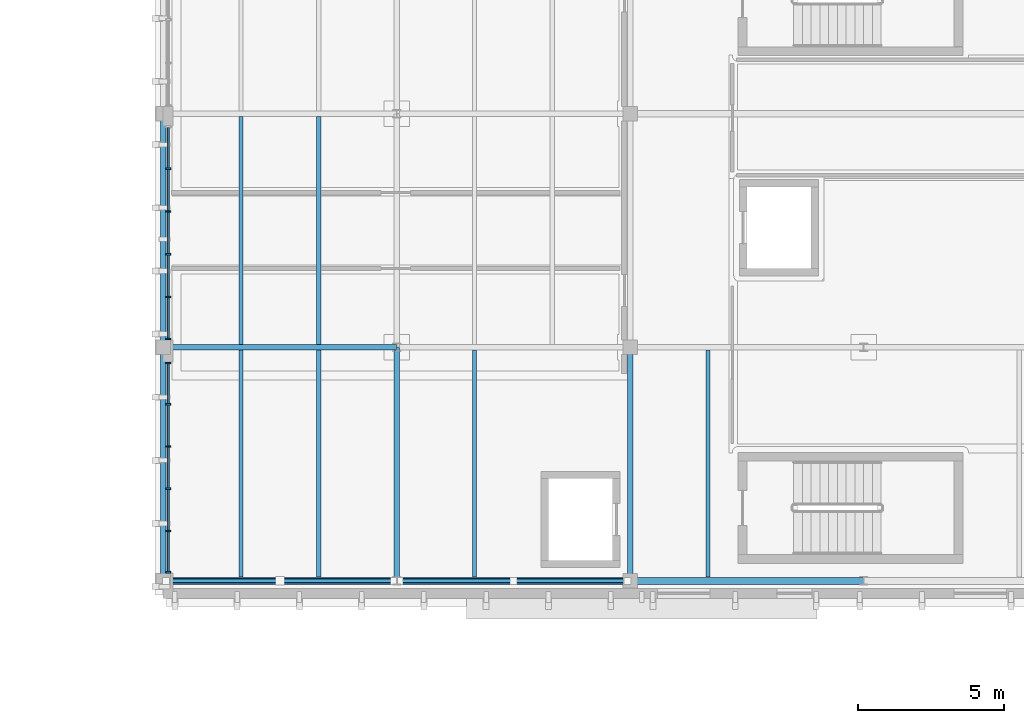
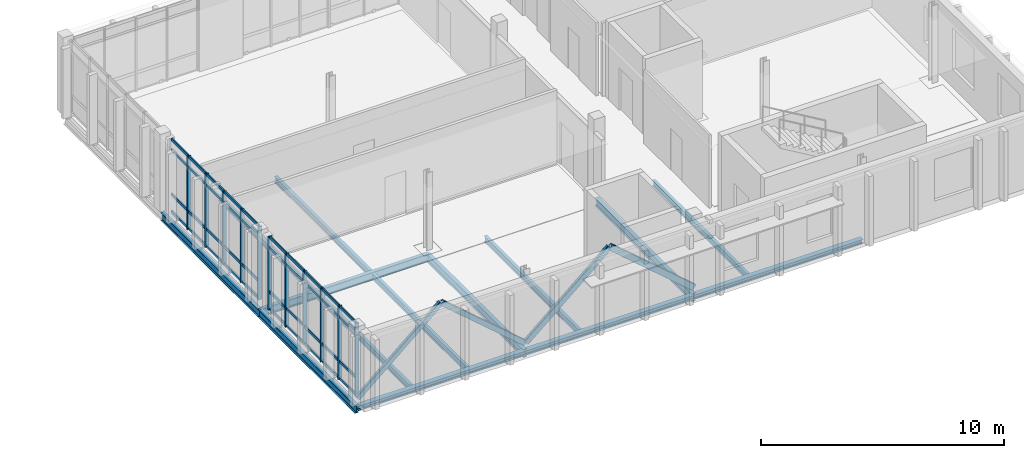
# One storey, part 7 of 40: 55 members, 14 beams, 2 elements without a shape of their own.
"""IFC4 building model written with IfcOpenShell, lengths in metres."""

import ifcopenshell
import ifcopenshell.guid

model = None  # the IFC model being written
_history = None  # IfcOwnerHistory: only IFC2X3 demands one
_inside = {}  # id of a spatial element -> (the spatial element, [elements in it])
_under = {}  # id of a project, library or spatial element -> (it, [spatial elements below it])
_declared = {}  # id of a project -> (the project, [libraries it declares])
_typed = {}  # id of a type object -> (the type object, [elements of that type])
_made_of = {}  # id of a material, layer set ... -> (it, [elements and type objects made of it])


def new_model(schema):
    """Start an empty IFC model of exactly this schema.

    Asked for "IFC4X3", IfcOpenShell would pick the latest addendum, in which some entities
    have other attributes; the version numbers below select the first issue.
    IFC2X3 requires an IfcOwnerHistory on every rooted entity: one is made here for all.
    """
    global model, _history
    if schema == "IFC4X3":
        model = ifcopenshell.file(schema_version=(4, 3, 0, 0))
    else:
        model = ifcopenshell.file(schema=schema)
    _inside.clear()
    _under.clear()
    _declared.clear()
    _typed.clear()
    _made_of.clear()
    _history = None
    if model.schema == "IFC2X3":
        org = make("IfcOrganization", Name="unknown")
        user = make(
            "IfcPersonAndOrganization",
            ThePerson=make("IfcPerson", FamilyName="unknown"),
            TheOrganization=org,
        )
        app = make(
            "IfcApplication",
            ApplicationDeveloper=org,
            Version="unknown",
            ApplicationFullName="unknown",
            ApplicationIdentifier="unknown",
        )
        _history = make(
            "IfcOwnerHistory",
            OwningUser=user,
            OwningApplication=app,
            ChangeAction="ADDED",
            CreationDate=0,
        )
    return model


def make(cls, **values):
    """One entity of the class cls with the attributes given. An attribute that is None is left unset."""
    return model.create_entity(
        cls, **{name: value for name, value in values.items() if value is not None}
    )


def rooted(cls, **values):
    """An entity with a GlobalId (a new one), such as an element, a storey or a relation."""
    return make(cls, GlobalId=ifcopenshell.guid.new(), OwnerHistory=_history, **values)


def si_unit(unit_type, name, prefix=None):
    """IfcSIUnit, for example si_unit("LENGTHUNIT", "METRE", prefix="MILLI")."""
    return make("IfcSIUnit", UnitType=unit_type, Prefix=prefix, Name=name)


def assignment(units):
    """IfcUnitAssignment: the units of a project."""
    return None if units is None else make("IfcUnitAssignment", Units=units)


def point(xyz):
    """IfcCartesianPoint."""
    return None if xyz is None else make("IfcCartesianPoint", Coordinates=xyz)


def direction(xyz):
    """IfcDirection."""
    return None if xyz is None else make("IfcDirection", DirectionRatios=xyz)


def frame(location, z_axis=None, x_axis=None):
    """IfcAxis2Placement3D, a coordinate frame: its origin and axes. An axis left out is left unset."""
    return make(
        "IfcAxis2Placement3D",
        Location=point(location),
        Axis=direction(z_axis),
        RefDirection=direction(x_axis),
    )


def frame_2d(location, x_axis=None):
    """IfcAxis2Placement2D, a coordinate frame in the plane: its origin and x axis."""
    return make(
        "IfcAxis2Placement2D", Location=point(location), RefDirection=direction(x_axis)
    )


def origin():
    """The frame at (0, 0, 0) with its axes left unset."""
    return frame((0.0, 0.0, 0.0))


def origin_2d():
    """The frame at (0, 0) in the plane with its x axis left unset."""
    return frame_2d((0.0, 0.0))


def place(relative_to, where):
    """IfcLocalPlacement: puts the frame where relative to a parent placement (None: the world)."""
    return make(
        "IfcLocalPlacement", PlacementRelTo=relative_to, RelativePlacement=where
    )


def context(
    kind, dimensions, precision=None, world=None, true_north=None, identifier=None
):
    """IfcGeometricRepresentationContext, for example the 3D "Model" context."""
    return make(
        "IfcGeometricRepresentationContext",
        ContextIdentifier=identifier,
        ContextType=kind,
        CoordinateSpaceDimension=dimensions,
        Precision=precision,
        WorldCoordinateSystem=world,
        TrueNorth=true_north,
    )


def subcontext(parent, identifier, kind, view, scale=None):
    """IfcGeometricRepresentationSubContext, for example "Body" below "Model"."""
    return make(
        "IfcGeometricRepresentationSubContext",
        ContextIdentifier=identifier,
        ContextType=kind,
        ParentContext=parent,
        TargetScale=scale,
        TargetView=view,
    )


def project(units=None, contexts=None):
    """IfcProject with its units and contexts."""
    return rooted(
        "IfcProject",
        Name="project",
        RepresentationContexts=contexts,
        UnitsInContext=assignment(units),
    )


def spatial(cls, under=None, at=None, **own):
    """A site, building, storey or space (cls), placed at a placement, below another one or the project."""
    s = rooted(cls, ObjectPlacement=at, **own)
    if under is not None:
        _under.setdefault(under.id(), (under, []))[1].append(s)
    return s


def profile(cls, at=None, kind="AREA", **sizes):
    """A parametric profile (cls). Its sizes go by their IFC names, for example OverallWidth=200.0."""
    return make(cls, ProfileType=kind, Position=at, **sizes)


def rectangle(**sizes):
    """IfcRectangleProfileDef."""
    return profile("IfcRectangleProfileDef", **sizes)


def hollow_rectangle(**sizes):
    """IfcRectangleHollowProfileDef."""
    return profile("IfcRectangleHollowProfileDef", **sizes)


def i_section(**sizes):
    """IfcIShapeProfileDef."""
    return profile("IfcIShapeProfileDef", **sizes)


def extrude(swept, where, along, depth):
    """IfcExtrudedAreaSolid: the profile swept, set in the frame where, extruded along a direction by depth."""
    return make(
        "IfcExtrudedAreaSolid",
        SweptArea=swept,
        Position=where,
        ExtrudedDirection=direction(along),
        Depth=depth,
    )


def shape(context_of_items, identifier, shape_type, items):
    """IfcShapeRepresentation: the items that make up one representation, for example the "Body"."""
    return make(
        "IfcShapeRepresentation",
        ContextOfItems=context_of_items,
        RepresentationIdentifier=identifier,
        RepresentationType=shape_type,
        Items=items,
    )


def material(Name=None, Category=None):
    """IfcMaterial."""
    return make("IfcMaterial", Name=Name, Category=Category)


def material_profile(
    of_material, cross_section, Name=None, Category=None, Priority=None
):
    """IfcMaterialProfile: a cross section and its material."""
    return make(
        "IfcMaterialProfile",
        Name=Name,
        Material=of_material,
        Profile=cross_section,
        Priority=Priority,
        Category=Category,
    )


def profile_set(profiles, Name=None, composite=None):
    """IfcMaterialProfileSet."""
    return make(
        "IfcMaterialProfileSet",
        Name=Name,
        MaterialProfiles=profiles,
        CompositeProfile=composite,
    )


def made_of(thing, what):
    """Note that an element or type object is made of a material, layer set ...; save() writes the relation."""
    if what is not None:
        _made_of.setdefault(what.id(), (what, []))[1].append(thing)
    return thing


def type_object(cls, material=None, **own):
    """A type object (cls), such as IfcWallType, which elements share."""
    return made_of(rooted(cls, **own), material)


def element(
    cls,
    number,
    at=None,
    inside=None,
    cuts=None,
    type_object=None,
    material=None,
    context=None,
    identifier="Body",
    shape_type=None,
    held_by="IfcProductDefinitionShape",
    body=None,
    shapes=None,
    **own,
):
    """One element of the class cls, such as IfcWall. Its Tag is "e" and its number.

    at: its placement. inside: the storey or other place that contains it. cuts: it is an
    opening in that element (IfcRelVoidsElement). A single representation is given by context,
    identifier, shape_type and body (its items); several are given by shapes. held_by: the class
    of the entity that holds the representations. save() writes the other relations.
    """
    e = rooted(cls, Tag="e%d" % number, ObjectPlacement=at, **own)
    if body is not None:
        shapes = [shape(context, identifier, shape_type, body)]
    if shapes is not None:
        e.Representation = make(held_by, Representations=shapes)
    if inside is not None:
        _inside.setdefault(inside.id(), (inside, []))[1].append(e)
    if cuts is not None:
        rooted(
            "IfcRelVoidsElement", RelatingBuildingElement=cuts, RelatedOpeningElement=e
        )
    if type_object is not None:
        _typed.setdefault(type_object.id(), (type_object, []))[1].append(e)
    return made_of(e, material)


def aggregate(whole, parts):
    """IfcRelAggregates: a whole, such as a stair, and the parts it consists of."""
    return rooted("IfcRelAggregates", RelatingObject=whole, RelatedObjects=parts)


def save(model, path):
    """Write the relations noted so far, then the file.

    IfcRelAggregates (storeys below a building ...), IfcRelContainedInSpatialStructure (elements
    in a storey), IfcRelDefinesByType, IfcRelAssociatesMaterial and IfcRelDeclares: one each for
    every whole, place, type object, material and project.
    """
    for whole, parts in _under.values():
        aggregate(whole, parts)
    for where, things in _inside.values():
        rooted(
            "IfcRelContainedInSpatialStructure",
            RelatedElements=things,
            RelatingStructure=where,
        )
    for kind, things in _typed.values():
        rooted("IfcRelDefinesByType", RelatedObjects=things, RelatingType=kind)
    for what, things in _made_of.values():
        rooted("IfcRelAssociatesMaterial", RelatedObjects=things, RelatingMaterial=what)
    for by, libraries in _declared.values():
        rooted("IfcRelDeclares", RelatingContext=by, RelatedDefinitions=libraries)
    model.write(path)


model = new_model("IFC4")

# Units and contexts
model_context = context("Model", 3, precision=1e-05, world=origin(), true_north=direction((0.0, 1.0)))
body_context = subcontext(model_context, "Body", "Model", "MODEL_VIEW")
ifc_project = project(units=[si_unit("LENGTHUNIT", "METRE"), si_unit("AREAUNIT", "SQUARE_METRE"), si_unit("VOLUMEUNIT", "CUBIC_METRE"), si_unit("PLANEANGLEUNIT", "RADIAN"), si_unit("MASSUNIT", "GRAM", prefix="KILO")], contexts=[model_context])

# Site, building, storey
site_placement = place(None, origin())
site = spatial("IfcSite", under=ifc_project, at=site_placement, CompositionType="ELEMENT")
building_placement = place(site_placement, origin())
building = spatial("IfcBuilding", under=site, at=building_placement, Name="Cymarion Research Institute", CompositionType="ELEMENT")
storey_placement = place(building_placement, frame((0.0, 0.0, 26.699951171875)))
storey = spatial("IfcBuildingStorey", under=building, at=storey_placement, Name="L06", CompositionType="ELEMENT", Elevation=26.699951171875)

# Curtain wall, members
ifc_material_1 = material(Name="Anodised aluminium unitised curtain wall with Low-E glazing", Category="aluminium")
curtain_wall_type_1 = type_object("IfcCurtainWallType", Name="UNITISED CURTAIN WALL CW62 7330X3680", PredefinedType="NOTDEFINED", material=ifc_material_1)
curtain_wall_1_placement = place(storey_placement, origin())
curtain_wall_1 = element("IfcCurtainWall", 1, at=curtain_wall_1_placement, inside=storey, type_object=curtain_wall_type_1, Name="L06 V4 unitised curtain wall CW62 #223", PredefinedType="NOTDEFINED")
ifc_material_2 = material(Name="Anodised aluminium framing", Category="aluminium")
ifc_material_profile_1 = material_profile(ifc_material_2, rectangle(XDim=0.06005859375, YDim=0.179931640625, at=origin_2d()), Name="ALU MULLION 60x180")
ifc_profile_set_1 = profile_set([ifc_material_profile_1], Name="Anodised aluminium framing")
member_type_1 = type_object("IfcMemberType", Name="CURTAIN WALL MULLION ML01 60X180", PredefinedType="MULLION", material=ifc_profile_set_1)
member_1_placement = place(storey_placement, frame((14.77001953125, 61.620361328125, 0.0), z_axis=(0.0, 0.0, 1.0), x_axis=(0.0, -1.0, 0.0)))
member_1 = element("IfcMember", 2, at=member_1_placement, type_object=member_type_1, Name="CW62 mullion 2", PredefinedType="MULLION", context=body_context, shape_type="SweptSolid", body=[
    extrude(rectangle(XDim=0.06005859375, YDim=0.179931640625, at=origin_2d()), origin(), (0.0, 0.0, 1.0), 3.679931640625),
])
member_2_placement = place(storey_placement, frame((14.77001953125, 60.1552734375, 0.0), z_axis=(0.0, 0.0, 1.0), x_axis=(0.0, -1.0, 0.0)))
member_2 = element("IfcMember", 3, at=member_2_placement, type_object=member_type_1, Name="CW62 mullion 3", PredefinedType="MULLION", context=body_context, shape_type="SweptSolid", body=[
    extrude(rectangle(XDim=0.06005859375, YDim=0.179931640625, at=origin_2d()), origin(), (0.0, 0.0, 1.0), 3.679931640625),
])
member_3_placement = place(storey_placement, frame((14.77001953125, 58.690185546875, 0.0), z_axis=(0.0, 0.0, 1.0), x_axis=(0.0, -1.0, 0.0)))
member_3 = element("IfcMember", 4, at=member_3_placement, type_object=member_type_1, Name="CW62 mullion 4", PredefinedType="MULLION", context=body_context, shape_type="SweptSolid", body=[
    extrude(rectangle(XDim=0.06005859375, YDim=0.179931640625, at=origin_2d()), origin(), (0.0, 0.0, 1.0), 3.679931640625),
])
member_4_placement = place(storey_placement, frame((14.77001953125, 57.22509765625, 0.0), z_axis=(0.0, 0.0, 1.0), x_axis=(0.0, -1.0, 0.0)))
member_4 = element("IfcMember", 5, at=member_4_placement, type_object=member_type_1, Name="CW62 mullion 5", PredefinedType="MULLION", context=body_context, shape_type="SweptSolid", body=[
    extrude(rectangle(XDim=0.06005859375, YDim=0.179931640625, at=origin_2d()), origin(), (0.0, 0.0, 1.0), 3.679931640625),
])
member_5_placement = place(storey_placement, frame((14.77001953125, 55.7900390625, 0.0), z_axis=(0.0, 0.0, 1.0), x_axis=(0.0, -1.0, 0.0)))
member_5 = element("IfcMember", 6, at=member_5_placement, type_object=member_type_1, Name="CW62 mullion 6", PredefinedType="MULLION", context=body_context, shape_type="SweptSolid", body=[
    extrude(rectangle(XDim=0.06005859375, YDim=0.179931640625, at=origin_2d()), origin(), (0.0, 0.0, 1.0), 3.679931640625),
])

curtain_wall_type_2 = type_object("IfcCurtainWallType", Name="UNITISED CURTAIN WALL CW63 7230X3680", PredefinedType="NOTDEFINED", material=ifc_material_1)
curtain_wall_2_placement = place(storey_placement, origin())
curtain_wall_2 = element("IfcCurtainWall", 7, at=curtain_wall_2_placement, inside=storey, type_object=curtain_wall_type_2, Name="L06 V4 unitised curtain wall CW63 #224", PredefinedType="NOTDEFINED")
member_6_placement = place(storey_placement, frame((14.77001953125, 54.962646484375, 0.0), z_axis=(0.0, 0.0, 1.0), x_axis=(0.0, -1.0, 0.0)))
member_6 = element("IfcMember", 8, at=member_6_placement, type_object=member_type_1, Name="CW63 mullion 1", PredefinedType="MULLION", context=body_context, shape_type="SweptSolid", body=[
    extrude(rectangle(XDim=0.06005859375, YDim=0.179931640625, at=origin_2d()), origin(), (0.0, 0.0, 1.0), 3.679931640625),
])
member_7_placement = place(storey_placement, frame((14.77001953125, 53.546142578125, 0.0), z_axis=(0.0, 0.0, 1.0), x_axis=(0.0, -1.0, 0.0)))
member_7 = element("IfcMember", 9, at=member_7_placement, type_object=member_type_1, Name="CW63 mullion 2", PredefinedType="MULLION", context=body_context, shape_type="SweptSolid", body=[
    extrude(rectangle(XDim=0.06005859375, YDim=0.179931640625, at=origin_2d()), origin(), (0.0, 0.0, 1.0), 3.679931640625),
])
member_8_placement = place(storey_placement, frame((14.77001953125, 52.099609375, 0.0), z_axis=(0.0, 0.0, 1.0), x_axis=(0.0, -1.0, 0.0)))
member_8 = element("IfcMember", 10, at=member_8_placement, type_object=member_type_1, Name="CW63 mullion 3", PredefinedType="MULLION", context=body_context, shape_type="SweptSolid", body=[
    extrude(rectangle(XDim=0.06005859375, YDim=0.179931640625, at=origin_2d()), origin(), (0.0, 0.0, 1.0), 3.679931640625),
])
member_9_placement = place(storey_placement, frame((14.77001953125, 50.653076171875, 0.0), z_axis=(0.0, 0.0, 1.0), x_axis=(0.0, -1.0, 0.0)))
member_9 = element("IfcMember", 11, at=member_9_placement, type_object=member_type_1, Name="CW63 mullion 4", PredefinedType="MULLION", context=body_context, shape_type="SweptSolid", body=[
    extrude(rectangle(XDim=0.06005859375, YDim=0.179931640625, at=origin_2d()), origin(), (0.0, 0.0, 1.0), 3.679931640625),
])
member_10_placement = place(storey_placement, frame((14.77001953125, 49.20654296875, 0.0), z_axis=(0.0, 0.0, 1.0), x_axis=(0.0, -1.0, 0.0)))
member_10 = element("IfcMember", 12, at=member_10_placement, type_object=member_type_1, Name="CW63 mullion 5", PredefinedType="MULLION", context=body_context, shape_type="SweptSolid", body=[
    extrude(rectangle(XDim=0.06005859375, YDim=0.179931640625, at=origin_2d()), origin(), (0.0, 0.0, 1.0), 3.679931640625),
])
member_11_placement = place(storey_placement, frame((14.77001953125, 47.7900390625, 0.0), z_axis=(0.0, 0.0, 1.0), x_axis=(0.0, -1.0, 0.0)))
member_11 = element("IfcMember", 13, at=member_11_placement, type_object=member_type_1, Name="CW63 mullion 6", PredefinedType="MULLION", context=body_context, shape_type="SweptSolid", body=[
    extrude(rectangle(XDim=0.06005859375, YDim=0.179931640625, at=origin_2d()), origin(), (0.0, 0.0, 1.0), 3.679931640625),
])

# Member
ifc_material_profile_2 = material_profile(ifc_material_2, rectangle(XDim=0.06005859375, YDim=0.14990234375, at=origin_2d()), Name="ALU TRANSOM 60x150")
ifc_profile_set_2 = profile_set([ifc_material_profile_2], Name="Anodised aluminium framing")
member_type_2 = type_object("IfcMemberType", Name="CURTAIN WALL TRANSOM TR01 60X150", PredefinedType="USERDEFINED", material=ifc_profile_set_2)
member_12_placement = place(storey_placement, frame((14.77001953125, 63.025390625, 0.030029296875), z_axis=(0.0, -1.0, 0.0), x_axis=(1.0, 0.0, 0.0)))
member_12 = element("IfcMember", 14, at=member_12_placement, type_object=member_type_2, Name="CW62 transom 1.1", ObjectType="TRANSOM", PredefinedType="USERDEFINED", context=body_context, shape_type="SweptSolid", body=[
    extrude(rectangle(XDim=0.06005859375, YDim=0.14990234375, at=origin_2d()), origin(), (0.0, 0.0, 1.0), 1.375244140625),
])

member_13_placement = place(storey_placement, frame((14.77001953125, 63.025390625, 0.900146484375), z_axis=(0.0, -1.0, 0.0), x_axis=(1.0, 0.0, 0.0)))
member_13 = element("IfcMember", 15, at=member_13_placement, type_object=member_type_2, Name="CW62 transom 1.2", ObjectType="TRANSOM", PredefinedType="USERDEFINED", context=body_context, shape_type="SweptSolid", body=[
    extrude(rectangle(XDim=0.06005859375, YDim=0.14990234375, at=origin_2d()), origin(), (0.0, 0.0, 1.0), 1.375244140625),
])

member_14_placement = place(storey_placement, frame((14.77001953125, 63.025390625, 3.130126953125), z_axis=(0.0, -1.0, 0.0), x_axis=(1.0, 0.0, 0.0)))
member_14 = element("IfcMember", 16, at=member_14_placement, type_object=member_type_2, Name="CW62 transom 1.3", ObjectType="TRANSOM", PredefinedType="USERDEFINED", context=body_context, shape_type="SweptSolid", body=[
    extrude(rectangle(XDim=0.06005859375, YDim=0.14990234375, at=origin_2d()), origin(), (0.0, 0.0, 1.0), 1.375244140625),
])

member_15_placement = place(storey_placement, frame((14.77001953125, 63.025390625, 3.650146484375), z_axis=(0.0, -1.0, 0.0), x_axis=(1.0, 0.0, 0.0)))
member_15 = element("IfcMember", 17, at=member_15_placement, type_object=member_type_2, Name="CW62 transom 1.4", ObjectType="TRANSOM", PredefinedType="USERDEFINED", context=body_context, shape_type="SweptSolid", body=[
    extrude(rectangle(XDim=0.06005859375, YDim=0.14990234375, at=origin_2d()), origin(), (0.0, 0.0, 1.0), 1.375244140625),
])

member_16_placement = place(storey_placement, frame((14.77001953125, 61.59033203125, 0.030029296875), z_axis=(0.0, -1.0, 0.0), x_axis=(1.0, 0.0, 0.0)))
member_16 = element("IfcMember", 18, at=member_16_placement, type_object=member_type_2, Name="CW62 transom 2.1", ObjectType="TRANSOM", PredefinedType="USERDEFINED", context=body_context, shape_type="SweptSolid", body=[
    extrude(rectangle(XDim=0.06005859375, YDim=0.14990234375, at=origin_2d()), origin(), (0.0, 0.0, 1.0), 1.4052734375),
])

member_17_placement = place(storey_placement, frame((14.77001953125, 61.59033203125, 0.900146484375), z_axis=(0.0, -1.0, 0.0), x_axis=(1.0, 0.0, 0.0)))
member_17 = element("IfcMember", 19, at=member_17_placement, type_object=member_type_2, Name="CW62 transom 2.2", ObjectType="TRANSOM", PredefinedType="USERDEFINED", context=body_context, shape_type="SweptSolid", body=[
    extrude(rectangle(XDim=0.06005859375, YDim=0.14990234375, at=origin_2d()), origin(), (0.0, 0.0, 1.0), 1.4052734375),
])

member_18_placement = place(storey_placement, frame((14.77001953125, 61.59033203125, 3.130126953125), z_axis=(0.0, -1.0, 0.0), x_axis=(1.0, 0.0, 0.0)))
member_18 = element("IfcMember", 20, at=member_18_placement, type_object=member_type_2, Name="CW62 transom 2.3", ObjectType="TRANSOM", PredefinedType="USERDEFINED", context=body_context, shape_type="SweptSolid", body=[
    extrude(rectangle(XDim=0.06005859375, YDim=0.14990234375, at=origin_2d()), origin(), (0.0, 0.0, 1.0), 1.4052734375),
])

member_19_placement = place(storey_placement, frame((14.77001953125, 61.59033203125, 3.650146484375), z_axis=(0.0, -1.0, 0.0), x_axis=(1.0, 0.0, 0.0)))
member_19 = element("IfcMember", 21, at=member_19_placement, type_object=member_type_2, Name="CW62 transom 2.4", ObjectType="TRANSOM", PredefinedType="USERDEFINED", context=body_context, shape_type="SweptSolid", body=[
    extrude(rectangle(XDim=0.06005859375, YDim=0.14990234375, at=origin_2d()), origin(), (0.0, 0.0, 1.0), 1.4052734375),
])

member_20_placement = place(storey_placement, frame((14.77001953125, 60.125244140625, 0.030029296875), z_axis=(0.0, -1.0, 0.0), x_axis=(1.0, 0.0, 0.0)))
member_20 = element("IfcMember", 22, at=member_20_placement, type_object=member_type_2, Name="CW62 transom 3.1", ObjectType="TRANSOM", PredefinedType="USERDEFINED", context=body_context, shape_type="SweptSolid", body=[
    extrude(rectangle(XDim=0.06005859375, YDim=0.14990234375, at=origin_2d()), origin(), (0.0, 0.0, 1.0), 1.405029296875),
])

member_21_placement = place(storey_placement, frame((14.77001953125, 60.125244140625, 0.900146484375), z_axis=(0.0, -1.0, 0.0), x_axis=(1.0, 0.0, 0.0)))
member_21 = element("IfcMember", 23, at=member_21_placement, type_object=member_type_2, Name="CW62 transom 3.2", ObjectType="TRANSOM", PredefinedType="USERDEFINED", context=body_context, shape_type="SweptSolid", body=[
    extrude(rectangle(XDim=0.06005859375, YDim=0.14990234375, at=origin_2d()), origin(), (0.0, 0.0, 1.0), 1.405029296875),
])

member_22_placement = place(storey_placement, frame((14.77001953125, 60.125244140625, 3.130126953125), z_axis=(0.0, -1.0, 0.0), x_axis=(1.0, 0.0, 0.0)))
member_22 = element("IfcMember", 24, at=member_22_placement, type_object=member_type_2, Name="CW62 transom 3.3", ObjectType="TRANSOM", PredefinedType="USERDEFINED", context=body_context, shape_type="SweptSolid", body=[
    extrude(rectangle(XDim=0.06005859375, YDim=0.14990234375, at=origin_2d()), origin(), (0.0, 0.0, 1.0), 1.405029296875),
])

member_23_placement = place(storey_placement, frame((14.77001953125, 60.125244140625, 3.650146484375), z_axis=(0.0, -1.0, 0.0), x_axis=(1.0, 0.0, 0.0)))
member_23 = element("IfcMember", 25, at=member_23_placement, type_object=member_type_2, Name="CW62 transom 3.4", ObjectType="TRANSOM", PredefinedType="USERDEFINED", context=body_context, shape_type="SweptSolid", body=[
    extrude(rectangle(XDim=0.06005859375, YDim=0.14990234375, at=origin_2d()), origin(), (0.0, 0.0, 1.0), 1.405029296875),
])

member_24_placement = place(storey_placement, frame((14.77001953125, 58.66015625, 0.030029296875), z_axis=(0.0, -1.0, 0.0), x_axis=(1.0, 0.0, 0.0)))
member_24 = element("IfcMember", 26, at=member_24_placement, type_object=member_type_2, Name="CW62 transom 4.1", ObjectType="TRANSOM", PredefinedType="USERDEFINED", context=body_context, shape_type="SweptSolid", body=[
    extrude(rectangle(XDim=0.06005859375, YDim=0.14990234375, at=origin_2d()), origin(), (0.0, 0.0, 1.0), 1.405029296875),
])

member_25_placement = place(storey_placement, frame((14.77001953125, 58.66015625, 0.900146484375), z_axis=(0.0, -1.0, 0.0), x_axis=(1.0, 0.0, 0.0)))
member_25 = element("IfcMember", 27, at=member_25_placement, type_object=member_type_2, Name="CW62 transom 4.2", ObjectType="TRANSOM", PredefinedType="USERDEFINED", context=body_context, shape_type="SweptSolid", body=[
    extrude(rectangle(XDim=0.06005859375, YDim=0.14990234375, at=origin_2d()), origin(), (0.0, 0.0, 1.0), 1.405029296875),
])

member_26_placement = place(storey_placement, frame((14.77001953125, 58.66015625, 3.130126953125), z_axis=(0.0, -1.0, 0.0), x_axis=(1.0, 0.0, 0.0)))
member_26 = element("IfcMember", 28, at=member_26_placement, type_object=member_type_2, Name="CW62 transom 4.3", ObjectType="TRANSOM", PredefinedType="USERDEFINED", context=body_context, shape_type="SweptSolid", body=[
    extrude(rectangle(XDim=0.06005859375, YDim=0.14990234375, at=origin_2d()), origin(), (0.0, 0.0, 1.0), 1.405029296875),
])

member_27_placement = place(storey_placement, frame((14.77001953125, 58.66015625, 3.650146484375), z_axis=(0.0, -1.0, 0.0), x_axis=(1.0, 0.0, 0.0)))
member_27 = element("IfcMember", 29, at=member_27_placement, type_object=member_type_2, Name="CW62 transom 4.4", ObjectType="TRANSOM", PredefinedType="USERDEFINED", context=body_context, shape_type="SweptSolid", body=[
    extrude(rectangle(XDim=0.06005859375, YDim=0.14990234375, at=origin_2d()), origin(), (0.0, 0.0, 1.0), 1.405029296875),
])

member_28_placement = place(storey_placement, frame((14.77001953125, 57.195068359375, 0.030029296875), z_axis=(0.0, -1.0, 0.0), x_axis=(1.0, 0.0, 0.0)))
member_28 = element("IfcMember", 30, at=member_28_placement, type_object=member_type_2, Name="CW62 transom 5.1", ObjectType="TRANSOM", PredefinedType="USERDEFINED", context=body_context, shape_type="SweptSolid", body=[
    extrude(rectangle(XDim=0.06005859375, YDim=0.14990234375, at=origin_2d()), origin(), (0.0, 0.0, 1.0), 1.375),
])

member_29_placement = place(storey_placement, frame((14.77001953125, 57.195068359375, 0.900146484375), z_axis=(0.0, -1.0, 0.0), x_axis=(1.0, 0.0, 0.0)))
member_29 = element("IfcMember", 31, at=member_29_placement, type_object=member_type_2, Name="CW62 transom 5.2", ObjectType="TRANSOM", PredefinedType="USERDEFINED", context=body_context, shape_type="SweptSolid", body=[
    extrude(rectangle(XDim=0.06005859375, YDim=0.14990234375, at=origin_2d()), origin(), (0.0, 0.0, 1.0), 1.375),
])

member_30_placement = place(storey_placement, frame((14.77001953125, 57.195068359375, 3.130126953125), z_axis=(0.0, -1.0, 0.0), x_axis=(1.0, 0.0, 0.0)))
member_30 = element("IfcMember", 32, at=member_30_placement, type_object=member_type_2, Name="CW62 transom 5.3", ObjectType="TRANSOM", PredefinedType="USERDEFINED", context=body_context, shape_type="SweptSolid", body=[
    extrude(rectangle(XDim=0.06005859375, YDim=0.14990234375, at=origin_2d()), origin(), (0.0, 0.0, 1.0), 1.375),
])

member_31_placement = place(storey_placement, frame((14.77001953125, 57.195068359375, 3.650146484375), z_axis=(0.0, -1.0, 0.0), x_axis=(1.0, 0.0, 0.0)))
member_31 = element("IfcMember", 33, at=member_31_placement, type_object=member_type_2, Name="CW62 transom 5.4", ObjectType="TRANSOM", PredefinedType="USERDEFINED", context=body_context, shape_type="SweptSolid", body=[
    extrude(rectangle(XDim=0.06005859375, YDim=0.14990234375, at=origin_2d()), origin(), (0.0, 0.0, 1.0), 1.375),
])

aggregate(curtain_wall_1, [member_1, member_2, member_3, member_4, member_5, member_12, member_13, member_14, member_15, member_16, member_17, member_18, member_19, member_20, member_21, member_22, member_23, member_24, member_25, member_26, member_27, member_28, member_29, member_30, member_31])

member_32_placement = place(storey_placement, frame((14.77001953125, 54.9326171875, 0.030029296875), z_axis=(0.0, -1.0, 0.0), x_axis=(1.0, 0.0, 0.0)))
member_32 = element("IfcMember", 34, at=member_32_placement, type_object=member_type_2, Name="CW63 transom 1.1", ObjectType="TRANSOM", PredefinedType="USERDEFINED", context=body_context, shape_type="SweptSolid", body=[
    extrude(rectangle(XDim=0.06005859375, YDim=0.14990234375, at=origin_2d()), origin(), (0.0, 0.0, 1.0), 1.3564453125),
])

member_33_placement = place(storey_placement, frame((14.77001953125, 54.9326171875, 0.900146484375), z_axis=(0.0, -1.0, 0.0), x_axis=(1.0, 0.0, 0.0)))
member_33 = element("IfcMember", 35, at=member_33_placement, type_object=member_type_2, Name="CW63 transom 1.2", ObjectType="TRANSOM", PredefinedType="USERDEFINED", context=body_context, shape_type="SweptSolid", body=[
    extrude(rectangle(XDim=0.06005859375, YDim=0.14990234375, at=origin_2d()), origin(), (0.0, 0.0, 1.0), 1.3564453125),
])

member_34_placement = place(storey_placement, frame((14.77001953125, 54.9326171875, 3.130126953125), z_axis=(0.0, -1.0, 0.0), x_axis=(1.0, 0.0, 0.0)))
member_34 = element("IfcMember", 36, at=member_34_placement, type_object=member_type_2, Name="CW63 transom 1.3", ObjectType="TRANSOM", PredefinedType="USERDEFINED", context=body_context, shape_type="SweptSolid", body=[
    extrude(rectangle(XDim=0.06005859375, YDim=0.14990234375, at=origin_2d()), origin(), (0.0, 0.0, 1.0), 1.3564453125),
])

member_35_placement = place(storey_placement, frame((14.77001953125, 54.9326171875, 3.650146484375), z_axis=(0.0, -1.0, 0.0), x_axis=(1.0, 0.0, 0.0)))
member_35 = element("IfcMember", 37, at=member_35_placement, type_object=member_type_2, Name="CW63 transom 1.4", ObjectType="TRANSOM", PredefinedType="USERDEFINED", context=body_context, shape_type="SweptSolid", body=[
    extrude(rectangle(XDim=0.06005859375, YDim=0.14990234375, at=origin_2d()), origin(), (0.0, 0.0, 1.0), 1.3564453125),
])

member_36_placement = place(storey_placement, frame((14.77001953125, 53.51611328125, 0.030029296875), z_axis=(0.0, -1.0, 0.0), x_axis=(1.0, 0.0, 0.0)))
member_36 = element("IfcMember", 38, at=member_36_placement, type_object=member_type_2, Name="CW63 transom 2.1", ObjectType="TRANSOM", PredefinedType="USERDEFINED", context=body_context, shape_type="SweptSolid", body=[
    extrude(rectangle(XDim=0.06005859375, YDim=0.14990234375, at=origin_2d()), origin(), (0.0, 0.0, 1.0), 1.386474609375),
])

member_37_placement = place(storey_placement, frame((14.77001953125, 53.51611328125, 0.900146484375), z_axis=(0.0, -1.0, 0.0), x_axis=(1.0, 0.0, 0.0)))
member_37 = element("IfcMember", 39, at=member_37_placement, type_object=member_type_2, Name="CW63 transom 2.2", ObjectType="TRANSOM", PredefinedType="USERDEFINED", context=body_context, shape_type="SweptSolid", body=[
    extrude(rectangle(XDim=0.06005859375, YDim=0.14990234375, at=origin_2d()), origin(), (0.0, 0.0, 1.0), 1.386474609375),
])

member_38_placement = place(storey_placement, frame((14.77001953125, 53.51611328125, 3.130126953125), z_axis=(0.0, -1.0, 0.0), x_axis=(1.0, 0.0, 0.0)))
member_38 = element("IfcMember", 40, at=member_38_placement, type_object=member_type_2, Name="CW63 transom 2.3", ObjectType="TRANSOM", PredefinedType="USERDEFINED", context=body_context, shape_type="SweptSolid", body=[
    extrude(rectangle(XDim=0.06005859375, YDim=0.14990234375, at=origin_2d()), origin(), (0.0, 0.0, 1.0), 1.386474609375),
])

member_39_placement = place(storey_placement, frame((14.77001953125, 53.51611328125, 3.650146484375), z_axis=(0.0, -1.0, 0.0), x_axis=(1.0, 0.0, 0.0)))
member_39 = element("IfcMember", 41, at=member_39_placement, type_object=member_type_2, Name="CW63 transom 2.4", ObjectType="TRANSOM", PredefinedType="USERDEFINED", context=body_context, shape_type="SweptSolid", body=[
    extrude(rectangle(XDim=0.06005859375, YDim=0.14990234375, at=origin_2d()), origin(), (0.0, 0.0, 1.0), 1.386474609375),
])

member_40_placement = place(storey_placement, frame((14.77001953125, 52.069580078125, 0.030029296875), z_axis=(0.0, -1.0, 0.0), x_axis=(1.0, 0.0, 0.0)))
member_40 = element("IfcMember", 42, at=member_40_placement, type_object=member_type_2, Name="CW63 transom 3.1", ObjectType="TRANSOM", PredefinedType="USERDEFINED", context=body_context, shape_type="SweptSolid", body=[
    extrude(rectangle(XDim=0.06005859375, YDim=0.14990234375, at=origin_2d()), origin(), (0.0, 0.0, 1.0), 1.386474609375),
])

member_41_placement = place(storey_placement, frame((14.77001953125, 52.069580078125, 0.900146484375), z_axis=(0.0, -1.0, 0.0), x_axis=(1.0, 0.0, 0.0)))
member_41 = element("IfcMember", 43, at=member_41_placement, type_object=member_type_2, Name="CW63 transom 3.2", ObjectType="TRANSOM", PredefinedType="USERDEFINED", context=body_context, shape_type="SweptSolid", body=[
    extrude(rectangle(XDim=0.06005859375, YDim=0.14990234375, at=origin_2d()), origin(), (0.0, 0.0, 1.0), 1.386474609375),
])

member_42_placement = place(storey_placement, frame((14.77001953125, 52.069580078125, 3.130126953125), z_axis=(0.0, -1.0, 0.0), x_axis=(1.0, 0.0, 0.0)))
member_42 = element("IfcMember", 44, at=member_42_placement, type_object=member_type_2, Name="CW63 transom 3.3", ObjectType="TRANSOM", PredefinedType="USERDEFINED", context=body_context, shape_type="SweptSolid", body=[
    extrude(rectangle(XDim=0.06005859375, YDim=0.14990234375, at=origin_2d()), origin(), (0.0, 0.0, 1.0), 1.386474609375),
])

member_43_placement = place(storey_placement, frame((14.77001953125, 52.069580078125, 3.650146484375), z_axis=(0.0, -1.0, 0.0), x_axis=(1.0, 0.0, 0.0)))
member_43 = element("IfcMember", 45, at=member_43_placement, type_object=member_type_2, Name="CW63 transom 3.4", ObjectType="TRANSOM", PredefinedType="USERDEFINED", context=body_context, shape_type="SweptSolid", body=[
    extrude(rectangle(XDim=0.06005859375, YDim=0.14990234375, at=origin_2d()), origin(), (0.0, 0.0, 1.0), 1.386474609375),
])

member_44_placement = place(storey_placement, frame((14.77001953125, 50.623046875, 0.030029296875), z_axis=(0.0, -1.0, 0.0), x_axis=(1.0, 0.0, 0.0)))
member_44 = element("IfcMember", 46, at=member_44_placement, type_object=member_type_2, Name="CW63 transom 4.1", ObjectType="TRANSOM", PredefinedType="USERDEFINED", context=body_context, shape_type="SweptSolid", body=[
    extrude(rectangle(XDim=0.06005859375, YDim=0.14990234375, at=origin_2d()), origin(), (0.0, 0.0, 1.0), 1.386474609375),
])

member_45_placement = place(storey_placement, frame((14.77001953125, 50.623046875, 0.900146484375), z_axis=(0.0, -1.0, 0.0), x_axis=(1.0, 0.0, 0.0)))
member_45 = element("IfcMember", 47, at=member_45_placement, type_object=member_type_2, Name="CW63 transom 4.2", ObjectType="TRANSOM", PredefinedType="USERDEFINED", context=body_context, shape_type="SweptSolid", body=[
    extrude(rectangle(XDim=0.06005859375, YDim=0.14990234375, at=origin_2d()), origin(), (0.0, 0.0, 1.0), 1.386474609375),
])

member_46_placement = place(storey_placement, frame((14.77001953125, 50.623046875, 3.130126953125), z_axis=(0.0, -1.0, 0.0), x_axis=(1.0, 0.0, 0.0)))
member_46 = element("IfcMember", 48, at=member_46_placement, type_object=member_type_2, Name="CW63 transom 4.3", ObjectType="TRANSOM", PredefinedType="USERDEFINED", context=body_context, shape_type="SweptSolid", body=[
    extrude(rectangle(XDim=0.06005859375, YDim=0.14990234375, at=origin_2d()), origin(), (0.0, 0.0, 1.0), 1.386474609375),
])

member_47_placement = place(storey_placement, frame((14.77001953125, 50.623046875, 3.650146484375), z_axis=(0.0, -1.0, 0.0), x_axis=(1.0, 0.0, 0.0)))
member_47 = element("IfcMember", 49, at=member_47_placement, type_object=member_type_2, Name="CW63 transom 4.4", ObjectType="TRANSOM", PredefinedType="USERDEFINED", context=body_context, shape_type="SweptSolid", body=[
    extrude(rectangle(XDim=0.06005859375, YDim=0.14990234375, at=origin_2d()), origin(), (0.0, 0.0, 1.0), 1.386474609375),
])

member_48_placement = place(storey_placement, frame((14.77001953125, 49.176513671875, 0.030029296875), z_axis=(0.0, -1.0, 0.0), x_axis=(1.0, 0.0, 0.0)))
member_48 = element("IfcMember", 50, at=member_48_placement, type_object=member_type_2, Name="CW63 transom 5.1", ObjectType="TRANSOM", PredefinedType="USERDEFINED", context=body_context, shape_type="SweptSolid", body=[
    extrude(rectangle(XDim=0.06005859375, YDim=0.14990234375, at=origin_2d()), origin(), (0.0, 0.0, 1.0), 1.3564453125),
])

member_49_placement = place(storey_placement, frame((14.77001953125, 49.176513671875, 0.900146484375), z_axis=(0.0, -1.0, 0.0), x_axis=(1.0, 0.0, 0.0)))
member_49 = element("IfcMember", 51, at=member_49_placement, type_object=member_type_2, Name="CW63 transom 5.2", ObjectType="TRANSOM", PredefinedType="USERDEFINED", context=body_context, shape_type="SweptSolid", body=[
    extrude(rectangle(XDim=0.06005859375, YDim=0.14990234375, at=origin_2d()), origin(), (0.0, 0.0, 1.0), 1.3564453125),
])

member_50_placement = place(storey_placement, frame((14.77001953125, 49.176513671875, 3.130126953125), z_axis=(0.0, -1.0, 0.0), x_axis=(1.0, 0.0, 0.0)))
member_50 = element("IfcMember", 52, at=member_50_placement, type_object=member_type_2, Name="CW63 transom 5.3", ObjectType="TRANSOM", PredefinedType="USERDEFINED", context=body_context, shape_type="SweptSolid", body=[
    extrude(rectangle(XDim=0.06005859375, YDim=0.14990234375, at=origin_2d()), origin(), (0.0, 0.0, 1.0), 1.3564453125),
])

member_51_placement = place(storey_placement, frame((14.77001953125, 49.176513671875, 3.650146484375), z_axis=(0.0, -1.0, 0.0), x_axis=(1.0, 0.0, 0.0)))
member_51 = element("IfcMember", 53, at=member_51_placement, type_object=member_type_2, Name="CW63 transom 5.4", ObjectType="TRANSOM", PredefinedType="USERDEFINED", context=body_context, shape_type="SweptSolid", body=[
    extrude(rectangle(XDim=0.06005859375, YDim=0.14990234375, at=origin_2d()), origin(), (0.0, 0.0, 1.0), 1.3564453125),
])

aggregate(curtain_wall_2, [member_6, member_7, member_8, member_9, member_10, member_11, member_32, member_33, member_34, member_35, member_36, member_37, member_38, member_39, member_40, member_41, member_42, member_43, member_44, member_45, member_46, member_47, member_48, member_49, member_50, member_51])

# Beams
ifc_material_3 = material(Name="Steel S355", Category="steel")
ifc_material_profile_3 = material_profile(ifc_material_3, i_section(OverallWidth=0.179931640625, OverallDepth=0.39990234375, WebThickness=0.008544921875, FlangeThickness=0.013427734375, FilletRadius=0.02099609375, at=origin_2d()), Name="IPE 400")
ifc_profile_set_3 = profile_set([ifc_material_profile_3], Name="Steel S355")
beam_type_1 = type_object("IfcBeamType", Name="PRIMARY GIRDER BM05 IPE 400", PredefinedType="BEAM", material=ifc_profile_set_3)
beam_placement = place(storey_placement, frame((14.60595703125, 55.5, -0.419921875), z_axis=(1.0, 0.0, 0.0), x_axis=(0.0, 1.0, 0.0)))
element("IfcBeam", 54, at=beam_placement, inside=storey, type_object=beam_type_1, Name="L06 V4 girder BM05 #2102", PredefinedType="BEAM", context=body_context, shape_type="SweptSolid", body=[
    extrude(i_section(OverallWidth=0.179931640625, OverallDepth=0.39990234375, WebThickness=0.008544921875, FlangeThickness=0.013427734375, FilletRadius=0.02099609375, at=origin_2d()), origin(), (0.0, 0.0, 1.0), 7.988037109375),
])
for number, where, z_axis, x_axis, name in (
    (55, (14.60009765625, 47.506103515625, -0.419921875), (0.0, 1.0, 0.0), (-1.0, 0.0, 0.0), "L06 V4 girder BM05 #2112"),
    (56, (14.60009765625, 55.506103515625, -0.419921875), (0.0, 1.0, 0.0), (-1.0, 0.0, 0.0), "L06 V4 girder BM05 #2113"),
    (57, (22.60009765625, 47.506103515625, -0.419921875), (0.0, 1.0, 0.0), (-1.0, 0.0, 0.0), "L06 V4 girder BM05 #2115"),
    (58, (30.60009765625, 47.506103515625, -0.419921875), (0.0, 1.0, 0.0), (-1.0, 0.0, 0.0), "L06 V4 girder BM05 #2118"),
):
    element("IfcBeam", number, at=place(storey_placement, frame(where, z_axis=z_axis, x_axis=x_axis)), inside=storey, type_object=beam_type_1, Name=name, PredefinedType="BEAM", context=body_context, shape_type="SweptSolid", body=[
        extrude(i_section(OverallWidth=0.179931640625, OverallDepth=0.39990234375, WebThickness=0.008544921875, FlangeThickness=0.013427734375, FilletRadius=0.02099609375, at=origin_2d()), origin(), (0.0, 0.0, 1.0), 7.98779296875),
    ])
ifc_material_profile_4 = material_profile(ifc_material_3, i_section(OverallWidth=0.14990234375, OverallDepth=0.300048828125, WebThickness=0.007080078125, FlangeThickness=0.0107421875, FilletRadius=0.014892578125, at=origin_2d()), Name="IPE 300")
ifc_profile_set_4 = profile_set([ifc_material_profile_4], Name="Steel S355")
beam_type_2 = type_object("IfcBeamType", Name="SECONDARY JOIST JS02 IPE 300", PredefinedType="JOIST", material=ifc_profile_set_4)
for number, where, z_axis, x_axis, name in (
    (59, (17.2666015625, 47.6240234375, -0.369873046875), (0.0, 1.0, 0.0), (-1.0, 0.0, 0.0), "L06 V4 secondary joist JS02 #2123"),
    (60, (19.933349609375, 47.6240234375, -0.369873046875), (0.0, 1.0, 0.0), (-1.0, 0.0, 0.0), "L06 V4 secondary joist JS02 #2124"),
    (61, (25.2666015625, 47.6240234375, -0.369873046875), (0.0, 1.0, 0.0), (-1.0, 0.0, 0.0), "L06 V4 secondary joist JS02 #2125"),
    (62, (33.2666015625, 47.6240234375, -0.369873046875), (0.0, 1.0, 0.0), (-1.0, 0.0, 0.0), "L06 V4 secondary joist JS02 #2126"),
):
    element("IfcBeam", number, at=place(storey_placement, frame(where, z_axis=z_axis, x_axis=x_axis)), inside=storey, type_object=beam_type_2, Name=name, PredefinedType="JOIST", context=body_context, shape_type="SweptSolid", body=[
        extrude(i_section(OverallWidth=0.14990234375, OverallDepth=0.300048828125, WebThickness=0.007080078125, FlangeThickness=0.0107421875, FilletRadius=0.014892578125, at=origin_2d()), origin(), (0.0, 0.0, 1.0), 7.781982421875),
    ])
for number, where, z_axis, x_axis, name in (
    (63, (17.2666015625, 55.593994140625, -0.369873046875), (0.0, 1.0, 0.0), (-1.0, 0.0, 0.0), "L06 V4 secondary joist JS02 #2128"),
    (64, (19.933349609375, 55.593994140625, -0.369873046875), (0.0, 1.0, 0.0), (-1.0, 0.0, 0.0), "L06 V4 secondary joist JS02 #2129"),
):
    element("IfcBeam", number, at=place(storey_placement, frame(where, z_axis=z_axis, x_axis=x_axis)), inside=storey, type_object=beam_type_2, Name=name, PredefinedType="JOIST", context=body_context, shape_type="SweptSolid", body=[
        extrude(i_section(OverallWidth=0.14990234375, OverallDepth=0.300048828125, WebThickness=0.007080078125, FlangeThickness=0.0107421875, FilletRadius=0.014892578125, at=origin_2d()), origin(), (0.0, 0.0, 1.0), 7.81201171875),
    ])
ifc_material_profile_5 = material_profile(ifc_material_3, i_section(OverallWidth=0.239990234375, OverallDepth=0.22998046875, WebThickness=0.007568359375, FlangeThickness=0.011962890625, FilletRadius=0.02099609375, at=origin_2d()), Name="HEA 240")
ifc_profile_set_5 = profile_set([ifc_material_profile_5], Name="Steel S355")
beam_type_3 = type_object("IfcBeamType", Name="SPANDREL BEAM SPB03 HEA 240", PredefinedType="SPANDREL", material=ifc_profile_set_5)
for number, where, z_axis, x_axis, name in (
    (65, (14.60595703125, 47.5, -0.3349609375), (1.0, 0.0, 0.0), (0.0, 1.0, 0.0), "L06 V4 girder SPB03 #2098"),
    (66, (22.60595703125, 47.5, -0.3349609375), (1.0, 0.0, 0.0), (0.0, 1.0, 0.0), "L06 V4 girder SPB03 #2099"),
    (67, (30.60595703125, 47.5, -0.3349609375), (1.0, 0.0, 0.0), (0.0, 1.0, 0.0), "L06 V4 girder SPB03 #2100"),
):
    element("IfcBeam", number, at=place(storey_placement, frame(where, z_axis=z_axis, x_axis=x_axis)), inside=storey, type_object=beam_type_3, Name=name, PredefinedType="SPANDREL", context=body_context, shape_type="SweptSolid", body=[
        extrude(i_section(OverallWidth=0.239990234375, OverallDepth=0.22998046875, WebThickness=0.007568359375, FlangeThickness=0.011962890625, FilletRadius=0.02099609375, at=origin_2d()), origin(), (0.0, 0.0, 1.0), 7.988037109375),
    ])

# Members
ifc_material_profile_6 = material_profile(ifc_material_3, hollow_rectangle(XDim=0.14990234375, YDim=0.25, WallThickness=0.010009765625, InnerFilletRadius=0.014892578125, OuterFilletRadius=0.02490234375, at=origin_2d()), Name="RHS 250x150x10")
ifc_profile_set_6 = profile_set([ifc_material_profile_6], Name="Steel S355")
member_type_3 = type_object("IfcMemberType", Name="STRUCTURAL MEMBER BR09 RHS 250x150x10", PredefinedType="BRACE", material=ifc_profile_set_6)
for number, where, z_axis, x_axis, name in (
    (68, (14.615234375, 47.5, 0.1201171875), (0.758217409765, 0.0, 0.652001809453), (0.0, 1.0, 0.0), "L06 V4 seismic chevron brace BR09 #1"),
    (69, (22.584716796875, 47.5, 0.1201171875), (-0.758217409765, 0.0, 0.652001809453), (0.0, -1.0, 0.0), "L06 V4 seismic chevron brace BR09 #2"),
):
    element("IfcMember", number, at=place(storey_placement, frame(where, z_axis=z_axis, x_axis=x_axis)), inside=storey, type_object=member_type_3, Name=name, PredefinedType="BRACE", context=body_context, shape_type="SweptSolid", body=[
        extrude(hollow_rectangle(XDim=0.14990234375, YDim=0.25, WallThickness=0.010009765625, InnerFilletRadius=0.014892578125, OuterFilletRadius=0.02490234375, at=origin_2d()), origin(), (0.0, 0.0, 1.0), 5.245361328125),
    ])
ifc_material_profile_7 = material_profile(ifc_material_3, hollow_rectangle(XDim=0.14990234375, YDim=0.300048828125, WallThickness=0.012451171875, InnerFilletRadius=0.018798828125, OuterFilletRadius=0.03125, at=origin_2d()), Name="RHS 300x150x12.5")
ifc_profile_set_7 = profile_set([ifc_material_profile_7], Name="Steel S355")
member_type_4 = type_object("IfcMemberType", Name="STRUCTURAL MEMBER BR10 RHS 300x150x12.5", PredefinedType="BRACE", material=ifc_profile_set_7)
for number, where, z_axis, x_axis, name in (
    (70, (22.615234375, 47.5, 0.1201171875), (0.758217409765, 0.0, 0.652001809453), (0.0, 1.0, 0.0), "L06 V4 seismic chevron brace BR10 #1"),
    (71, (30.584716796875, 47.5, 0.1201171875), (-0.758217409765, 0.0, 0.652001809453), (0.0, -1.0, 0.0), "L06 V4 seismic chevron brace BR10 #2"),
):
    element("IfcMember", number, at=place(storey_placement, frame(where, z_axis=z_axis, x_axis=x_axis)), inside=storey, type_object=member_type_4, Name=name, PredefinedType="BRACE", context=body_context, shape_type="SweptSolid", body=[
        extrude(hollow_rectangle(XDim=0.14990234375, YDim=0.300048828125, WallThickness=0.012451171875, InnerFilletRadius=0.018798828125, OuterFilletRadius=0.03125, at=origin_2d()), origin(), (0.0, 0.0, 1.0), 5.245361328125),
    ])

save(model, "model.ifc")
